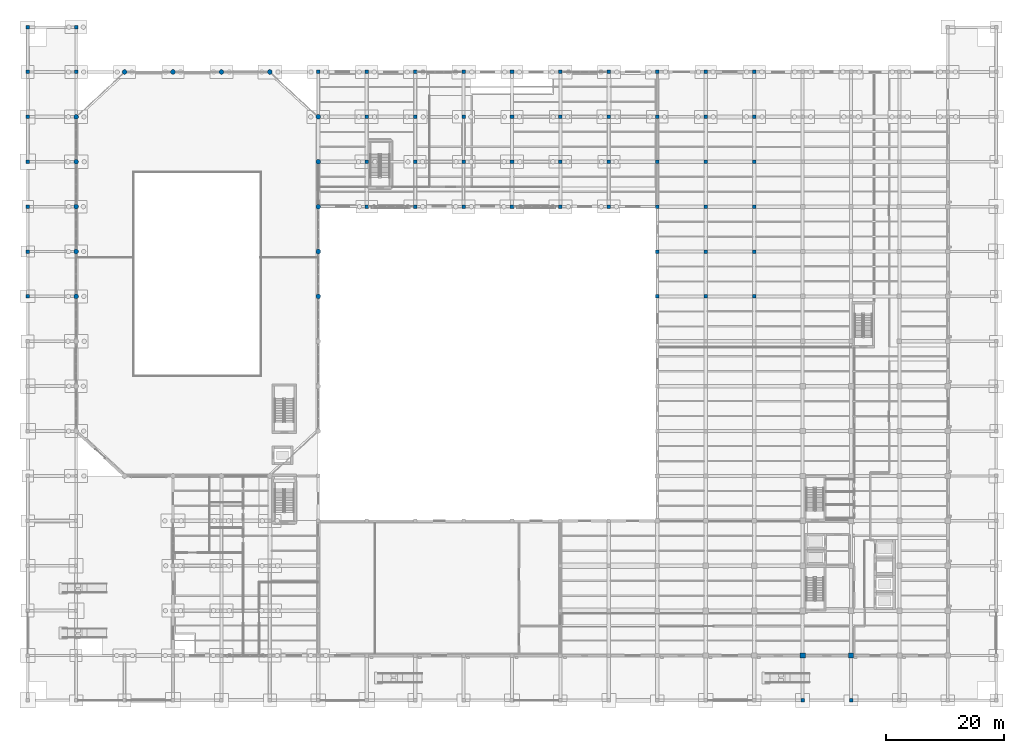
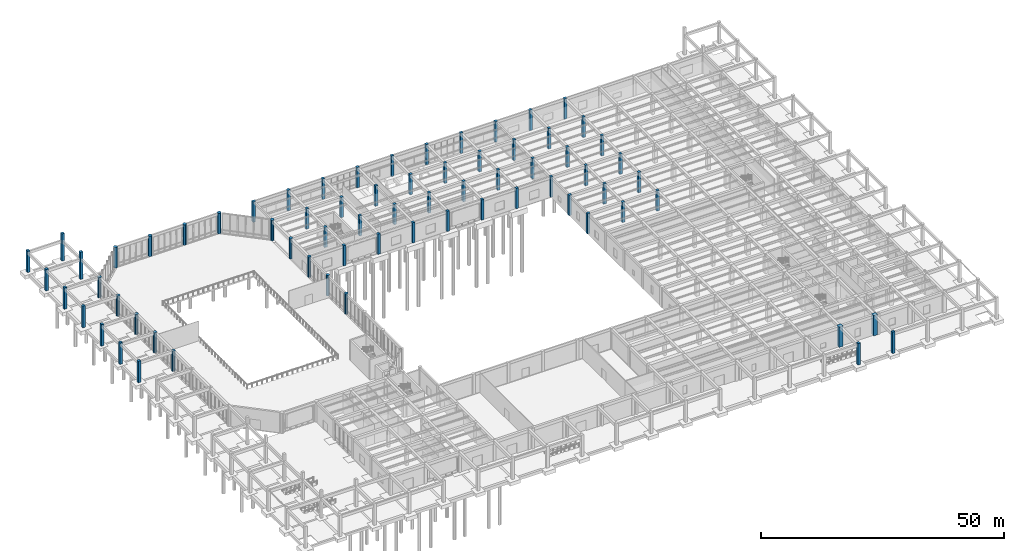
# One storey, part 9 of 64: 70 columns.
"""IFC4 building model written with IfcOpenShell, lengths in metres."""

from ifc_helpers import new_model, si_unit, direction, frame, origin, origin_2d, place, context, subcontext, project, spatial, rectangle, circle, extrude, material, material_profile, profile_set, type_object, element, save


model = new_model("IFC4")

# Units and contexts
model_context = context("Model", 3, precision=1e-05, world=origin(), true_north=direction((0.0, 1.0)))
body_context = subcontext(model_context, "Body", "Model", "MODEL_VIEW")
ifc_project = project(units=[si_unit("LENGTHUNIT", "METRE"), si_unit("AREAUNIT", "SQUARE_METRE"), si_unit("VOLUMEUNIT", "CUBIC_METRE"), si_unit("PLANEANGLEUNIT", "RADIAN"), si_unit("MASSUNIT", "GRAM", prefix="KILO")], contexts=[model_context])

# Site, building, storey
site_placement = place(None, origin())
site = spatial("IfcSite", under=ifc_project, at=site_placement, CompositionType="ELEMENT")
building_placement = place(site_placement, origin())
building = spatial("IfcBuilding", under=site, at=building_placement, Name="Qandaris Square Conservatory and Botanical Centre", CompositionType="ELEMENT")
storey_placement = place(building_placement, origin())
storey = spatial("IfcBuildingStorey", under=building, at=storey_placement, Name="L00", CompositionType="ELEMENT", Elevation=0.0)

# Columns
ifc_material_1 = material(Name="Concrete C50/60", Category="concrete")
ifc_material_profile_1 = material_profile(ifc_material_1, circle(Radius=0.39990234375, at=origin_2d()), Name="RC-COL D800")
ifc_profile_set_1 = profile_set([ifc_material_profile_1], Name="Concrete C50/60")
column_type_1 = type_object("IfcColumnType", Name="Conservatory Ring Pier D800", PredefinedType="COLUMN", material=ifc_profile_set_1)
for number, where, z_axis, x_axis, name in (
    (1, (16.199951171875, 77.39990234375, 0.0), (0.0, 0.0, 1.0), (1.0, 0.0, 0.0), "Column K2 (L00)"),
    (2, (16.199951171875, 85.0, 0.0), (0.0, 0.0, 1.0), (1.0, 0.0, 0.0), "Column L2 (L00)"),
    (3, (16.199951171875, 92.60009765625, 0.0), (0.0, 0.0, 1.0), (1.0, 0.0, 0.0), "Column M2 (L00)"),
    (4, (16.199951171875, 100.199951171875, 0.0), (0.0, 0.0, 1.0), (1.0, 0.0, 0.0), "Column N2 (L00)"),
):
    element("IfcColumn", number, at=place(storey_placement, frame(where, z_axis=z_axis, x_axis=x_axis)), inside=storey, type_object=column_type_1, Name=name, PredefinedType="COLUMN", context=body_context, shape_type="SweptSolid", body=[
        extrude(circle(Radius=0.39990234375, at=origin_2d()), origin(), (0.0, 0.0, 1.0), 5.10009765625),
    ])
for number, where, z_axis, x_axis, name in (
    (5, (16.199951171875, 107.800048828125, 0.0), (0.0, 0.0, 1.0), (1.0, 0.0, 0.0), "Column P2 (L00)"),
    (6, (24.39990234375, 115.39990234375, 0.0), (0.0, 0.0, 1.0), (1.0, 0.0, 0.0), "Column Q3 (L00)"),
    (7, (32.60009765625, 115.39990234375, 0.0), (0.0, 0.0, 1.0), (1.0, 0.0, 0.0), "Column Q4 (L00)"),
    (8, (40.800048828125, 115.39990234375, 0.0), (0.0, 0.0, 1.0), (1.0, 0.0, 0.0), "Column Q5 (L00)"),
    (9, (49.0, 115.39990234375, 0.0), (0.0, 0.0, 1.0), (1.0, 0.0, 0.0), "Column Q6 (L00)"),
):
    element("IfcColumn", number, at=place(storey_placement, frame(where, z_axis=z_axis, x_axis=x_axis)), inside=storey, type_object=column_type_1, Name=name, PredefinedType="COLUMN", context=body_context, shape_type="SweptSolid", body=[
        extrude(circle(Radius=0.39990234375, at=origin_2d()), origin(), (0.0, 0.0, 1.0), 5.14501953125),
    ])
for number, where, z_axis, x_axis, name in (
    (10, (57.199951171875, 77.39990234375, 0.0), (0.0, 0.0, 1.0), (1.0, 0.0, 0.0), "Column K7 (L00)"),
    (11, (57.199951171875, 85.0, 0.0), (0.0, 0.0, 1.0), (1.0, 0.0, 0.0), "Column L7 (L00)"),
    (12, (57.199951171875, 92.60009765625, 0.0), (0.0, 0.0, 1.0), (1.0, 0.0, 0.0), "Column M7 (L00)"),
    (13, (57.199951171875, 100.199951171875, 0.0), (0.0, 0.0, 1.0), (1.0, 0.0, 0.0), "Column N7 (L00)"),
):
    element("IfcColumn", number, at=place(storey_placement, frame(where, z_axis=z_axis, x_axis=x_axis)), inside=storey, type_object=column_type_1, Name=name, PredefinedType="COLUMN", context=body_context, shape_type="SweptSolid", body=[
        extrude(circle(Radius=0.39990234375, at=origin_2d()), origin(), (0.0, 0.0, 1.0), 5.10009765625),
    ])
column_1_placement = place(storey_placement, frame((57.199951171875, 107.800048828125, 0.0), z_axis=(0.0, 0.0, 1.0), x_axis=(1.0, 0.0, 0.0)))
element("IfcColumn", 14, at=column_1_placement, inside=storey, type_object=column_type_1, Name="Column P7 (L00)", PredefinedType="COLUMN", context=body_context, shape_type="SweptSolid", body=[
    extrude(circle(Radius=0.39990234375, at=origin_2d()), origin(), (0.0, 0.0, 1.0), 5.14501953125),
])
ifc_material_2 = material(Name="Concrete C40/50", Category="concrete")
ifc_material_profile_2 = material_profile(ifc_material_2, rectangle(XDim=0.60009765625, YDim=0.60009765625, at=origin_2d()), Name="RC-COL 600x600")
ifc_profile_set_2 = profile_set([ifc_material_profile_2], Name="Concrete C40/50")
column_type_2 = type_object("IfcColumnType", Name="RC Column 600x600", PredefinedType="COLUMN", material=ifc_profile_set_2)
for number, where, z_axis, x_axis, name in (
    (15, (8.0, 77.39990234375, 0.0), (0.0, 0.0, 1.0), (1.0, 0.0, 0.0), "Column K1 (L00)"),
    (16, (8.0, 85.0, 0.0), (0.0, 0.0, 1.0), (1.0, 0.0, 0.0), "Column L1 (L00)"),
    (17, (8.0, 92.60009765625, 0.0), (0.0, 0.0, 1.0), (1.0, 0.0, 0.0), "Column M1 (L00)"),
    (18, (8.0, 100.199951171875, 0.0), (0.0, 0.0, 1.0), (1.0, 0.0, 0.0), "Column N1 (L00)"),
    (19, (8.0, 107.800048828125, 0.0), (0.0, 0.0, 1.0), (1.0, 0.0, 0.0), "Column P1 (L00)"),
    (20, (8.0, 115.39990234375, 0.0), (0.0, 0.0, 1.0), (1.0, 0.0, 0.0), "Column Q1 (L00)"),
    (21, (8.0, 123.0, 0.0), (0.0, 0.0, 1.0), (1.0, 0.0, 0.0), "Column R1 (L00)"),
):
    element("IfcColumn", number, at=place(storey_placement, frame(where, z_axis=z_axis, x_axis=x_axis)), inside=storey, type_object=column_type_2, Name=name, PredefinedType="COLUMN", context=body_context, shape_type="SweptSolid", body=[
        extrude(rectangle(XDim=0.60009765625, YDim=0.60009765625, at=origin_2d()), origin(), (0.0, 0.0, 1.0), 5.39990234375),
    ])
for number, where, z_axis, x_axis, name in (
    (22, (16.199951171875, 115.39990234375, 0.0), (0.0, 0.0, 1.0), (1.0, 0.0, 0.0), "Column Q2 (L00)"),
    (23, (16.199951171875, 123.0, 0.0), (0.0, 0.0, 1.0), (1.0, 0.0, 0.0), "Column R2 (L00)"),
):
    element("IfcColumn", number, at=place(storey_placement, frame(where, z_axis=z_axis, x_axis=x_axis)), inside=storey, type_object=column_type_2, Name=name, PredefinedType="COLUMN", context=body_context, shape_type="SweptSolid", body=[
        extrude(rectangle(XDim=0.60009765625, YDim=0.60009765625, at=origin_2d()), origin(), (0.0, 0.0, 1.0), 6.840087890625),
    ])
column_2_placement = place(storey_placement, frame((57.199951171875, 115.39990234375, 0.0), z_axis=(0.0, 0.0, 1.0), x_axis=(1.0, 0.0, 0.0)))
element("IfcColumn", 24, at=column_2_placement, inside=storey, type_object=column_type_2, Name="Column Q7 (L00)", PredefinedType="COLUMN", context=body_context, shape_type="SweptSolid", body=[
    extrude(rectangle(XDim=0.60009765625, YDim=0.60009765625, at=origin_2d()), origin(), (0.0, 0.0, 1.0), 5.14501953125),
])
for number, where, z_axis, x_axis, name in (
    (25, (65.39990234375, 92.60009765625, 0.0), (0.0, 0.0, 1.0), (1.0, 0.0, 0.0), "Column M8 (L00)"),
    (26, (65.39990234375, 100.199951171875, 0.0), (0.0, 0.0, 1.0), (1.0, 0.0, 0.0), "Column N8 (L00)"),
    (27, (65.39990234375, 107.800048828125, 0.0), (0.0, 0.0, 1.0), (1.0, 0.0, 0.0), "Column P8 (L00)"),
):
    element("IfcColumn", number, at=place(storey_placement, frame(where, z_axis=z_axis, x_axis=x_axis)), inside=storey, type_object=column_type_2, Name=name, PredefinedType="COLUMN", context=body_context, shape_type="SweptSolid", body=[
        extrude(rectangle(XDim=0.60009765625, YDim=0.60009765625, at=origin_2d()), origin(), (0.0, 0.0, 1.0), 5.10009765625),
    ])
column_3_placement = place(storey_placement, frame((65.39990234375, 115.39990234375, 0.0), z_axis=(0.0, 0.0, 1.0), x_axis=(1.0, 0.0, 0.0)))
element("IfcColumn", 28, at=column_3_placement, inside=storey, type_object=column_type_2, Name="Column Q8 (L00)", PredefinedType="COLUMN", context=body_context, shape_type="SweptSolid", body=[
    extrude(rectangle(XDim=0.60009765625, YDim=0.60009765625, at=origin_2d()), origin(), (0.0, 0.0, 1.0), 5.14501953125),
])
for number, where, z_axis, x_axis, name in (
    (29, (73.60009765625, 92.60009765625, 0.0), (0.0, 0.0, 1.0), (1.0, 0.0, 0.0), "Column M9 (L00)"),
    (30, (73.60009765625, 100.199951171875, 0.0), (0.0, 0.0, 1.0), (1.0, 0.0, 0.0), "Column N9 (L00)"),
    (31, (73.60009765625, 107.800048828125, 0.0), (0.0, 0.0, 1.0), (1.0, 0.0, 0.0), "Column P9 (L00)"),
):
    element("IfcColumn", number, at=place(storey_placement, frame(where, z_axis=z_axis, x_axis=x_axis)), inside=storey, type_object=column_type_2, Name=name, PredefinedType="COLUMN", context=body_context, shape_type="SweptSolid", body=[
        extrude(rectangle(XDim=0.60009765625, YDim=0.60009765625, at=origin_2d()), origin(), (0.0, 0.0, 1.0), 5.10009765625),
    ])
column_4_placement = place(storey_placement, frame((73.60009765625, 115.39990234375, 0.0), z_axis=(0.0, 0.0, 1.0), x_axis=(1.0, 0.0, 0.0)))
element("IfcColumn", 32, at=column_4_placement, inside=storey, type_object=column_type_2, Name="Column Q9 (L00)", PredefinedType="COLUMN", context=body_context, shape_type="SweptSolid", body=[
    extrude(rectangle(XDim=0.60009765625, YDim=0.60009765625, at=origin_2d()), origin(), (0.0, 0.0, 1.0), 5.14501953125),
])
for number, where, z_axis, x_axis, name in (
    (33, (81.800048828125, 92.60009765625, 0.0), (0.0, 0.0, 1.0), (1.0, 0.0, 0.0), "Column M10 (L00)"),
    (34, (81.800048828125, 100.199951171875, 0.0), (0.0, 0.0, 1.0), (1.0, 0.0, 0.0), "Column N10 (L00)"),
    (35, (81.800048828125, 107.800048828125, 0.0), (0.0, 0.0, 1.0), (1.0, 0.0, 0.0), "Column P10 (L00)"),
):
    element("IfcColumn", number, at=place(storey_placement, frame(where, z_axis=z_axis, x_axis=x_axis)), inside=storey, type_object=column_type_2, Name=name, PredefinedType="COLUMN", context=body_context, shape_type="SweptSolid", body=[
        extrude(rectangle(XDim=0.60009765625, YDim=0.60009765625, at=origin_2d()), origin(), (0.0, 0.0, 1.0), 5.10009765625),
    ])
column_5_placement = place(storey_placement, frame((81.800048828125, 115.39990234375, 0.0), z_axis=(0.0, 0.0, 1.0), x_axis=(1.0, 0.0, 0.0)))
element("IfcColumn", 36, at=column_5_placement, inside=storey, type_object=column_type_2, Name="Column Q10 (L00)", PredefinedType="COLUMN", context=body_context, shape_type="SweptSolid", body=[
    extrude(rectangle(XDim=0.60009765625, YDim=0.60009765625, at=origin_2d()), origin(), (0.0, 0.0, 1.0), 5.14501953125),
])
for number, where, z_axis, x_axis, name in (
    (37, (90.0, 92.60009765625, 0.0), (0.0, 0.0, 1.0), (1.0, 0.0, 0.0), "Column M11 (L00)"),
    (38, (90.0, 100.199951171875, 0.0), (0.0, 0.0, 1.0), (1.0, 0.0, 0.0), "Column N11 (L00)"),
    (39, (90.0, 107.800048828125, 0.0), (0.0, 0.0, 1.0), (1.0, 0.0, 0.0), "Column P11 (L00)"),
):
    element("IfcColumn", number, at=place(storey_placement, frame(where, z_axis=z_axis, x_axis=x_axis)), inside=storey, type_object=column_type_2, Name=name, PredefinedType="COLUMN", context=body_context, shape_type="SweptSolid", body=[
        extrude(rectangle(XDim=0.60009765625, YDim=0.60009765625, at=origin_2d()), origin(), (0.0, 0.0, 1.0), 5.10009765625),
    ])
column_6_placement = place(storey_placement, frame((90.0, 115.39990234375, 0.0), z_axis=(0.0, 0.0, 1.0), x_axis=(1.0, 0.0, 0.0)))
element("IfcColumn", 40, at=column_6_placement, inside=storey, type_object=column_type_2, Name="Column Q11 (L00)", PredefinedType="COLUMN", context=body_context, shape_type="SweptSolid", body=[
    extrude(rectangle(XDim=0.60009765625, YDim=0.60009765625, at=origin_2d()), origin(), (0.0, 0.0, 1.0), 5.14501953125),
])
for number, where, z_axis, x_axis, name in (
    (41, (98.199951171875, 92.60009765625, 0.0), (0.0, 0.0, 1.0), (1.0, 0.0, 0.0), "Column M12 (L00)"),
    (42, (98.199951171875, 100.199951171875, 0.0), (0.0, 0.0, 1.0), (1.0, 0.0, 0.0), "Column N12 (L00)"),
    (43, (98.199951171875, 107.800048828125, 0.0), (0.0, 0.0, 1.0), (1.0, 0.0, 0.0), "Column P12 (L00)"),
):
    element("IfcColumn", number, at=place(storey_placement, frame(where, z_axis=z_axis, x_axis=x_axis)), inside=storey, type_object=column_type_2, Name=name, PredefinedType="COLUMN", context=body_context, shape_type="SweptSolid", body=[
        extrude(rectangle(XDim=0.60009765625, YDim=0.60009765625, at=origin_2d()), origin(), (0.0, 0.0, 1.0), 5.10009765625),
    ])
column_7_placement = place(storey_placement, frame((98.199951171875, 115.39990234375, 0.0), z_axis=(0.0, 0.0, 1.0), x_axis=(1.0, 0.0, 0.0)))
element("IfcColumn", 44, at=column_7_placement, inside=storey, type_object=column_type_2, Name="Column Q12 (L00)", PredefinedType="COLUMN", context=body_context, shape_type="SweptSolid", body=[
    extrude(rectangle(XDim=0.60009765625, YDim=0.60009765625, at=origin_2d()), origin(), (0.0, 0.0, 1.0), 5.14501953125),
])
for number, where, z_axis, x_axis, name in (
    (45, (106.39990234375, 92.60009765625, 0.0), (0.0, 0.0, 1.0), (1.0, 0.0, 0.0), "Column M13 (L00)"),
    (46, (106.39990234375, 100.199951171875, 0.0), (0.0, 0.0, 1.0), (1.0, 0.0, 0.0), "Column N13 (L00)"),
    (47, (106.39990234375, 107.800048828125, 0.0), (0.0, 0.0, 1.0), (1.0, 0.0, 0.0), "Column P13 (L00)"),
):
    element("IfcColumn", number, at=place(storey_placement, frame(where, z_axis=z_axis, x_axis=x_axis)), inside=storey, type_object=column_type_2, Name=name, PredefinedType="COLUMN", context=body_context, shape_type="SweptSolid", body=[
        extrude(rectangle(XDim=0.60009765625, YDim=0.60009765625, at=origin_2d()), origin(), (0.0, 0.0, 1.0), 5.10009765625),
    ])
column_8_placement = place(storey_placement, frame((106.39990234375, 115.39990234375, 0.0), z_axis=(0.0, 0.0, 1.0), x_axis=(1.0, 0.0, 0.0)))
element("IfcColumn", 48, at=column_8_placement, inside=storey, type_object=column_type_2, Name="Column Q13 (L00)", PredefinedType="COLUMN", context=body_context, shape_type="SweptSolid", body=[
    extrude(rectangle(XDim=0.60009765625, YDim=0.60009765625, at=origin_2d()), origin(), (0.0, 0.0, 1.0), 5.14501953125),
])
for number, where, z_axis, x_axis, name in (
    (49, (114.60009765625, 77.39990234375, 0.0), (0.0, 0.0, 1.0), (1.0, 0.0, 0.0), "Column K14 (L00)"),
    (50, (114.60009765625, 85.0, 0.0), (0.0, 0.0, 1.0), (1.0, 0.0, 0.0), "Column L14 (L00)"),
    (51, (114.60009765625, 92.60009765625, 0.0), (0.0, 0.0, 1.0), (1.0, 0.0, 0.0), "Column M14 (L00)"),
    (52, (114.60009765625, 100.199951171875, 0.0), (0.0, 0.0, 1.0), (1.0, 0.0, 0.0), "Column N14 (L00)"),
):
    element("IfcColumn", number, at=place(storey_placement, frame(where, z_axis=z_axis, x_axis=x_axis)), inside=storey, type_object=column_type_2, Name=name, PredefinedType="COLUMN", context=body_context, shape_type="SweptSolid", body=[
        extrude(rectangle(XDim=0.60009765625, YDim=0.60009765625, at=origin_2d()), origin(), (0.0, 0.0, 1.0), 5.10009765625),
    ])
for number, where, z_axis, x_axis, name in (
    (53, (114.60009765625, 107.800048828125, 0.0), (0.0, 0.0, 1.0), (1.0, 0.0, 0.0), "Column P14 (L00)"),
    (54, (114.60009765625, 115.39990234375, 0.0), (0.0, 0.0, 1.0), (1.0, 0.0, 0.0), "Column Q14 (L00)"),
):
    element("IfcColumn", number, at=place(storey_placement, frame(where, z_axis=z_axis, x_axis=x_axis)), inside=storey, type_object=column_type_2, Name=name, PredefinedType="COLUMN", context=body_context, shape_type="SweptSolid", body=[
        extrude(rectangle(XDim=0.60009765625, YDim=0.60009765625, at=origin_2d()), origin(), (0.0, 0.0, 1.0), 5.14501953125),
    ])
for number, where, z_axis, x_axis, name in (
    (55, (122.800048828125, 77.39990234375, 0.0), (0.0, 0.0, 1.0), (1.0, 0.0, 0.0), "Column K15 (L00)"),
    (56, (122.800048828125, 85.0, 0.0), (0.0, 0.0, 1.0), (1.0, 0.0, 0.0), "Column L15 (L00)"),
    (57, (122.800048828125, 92.60009765625, 0.0), (0.0, 0.0, 1.0), (1.0, 0.0, 0.0), "Column M15 (L00)"),
    (58, (122.800048828125, 100.199951171875, 0.0), (0.0, 0.0, 1.0), (1.0, 0.0, 0.0), "Column N15 (L00)"),
):
    element("IfcColumn", number, at=place(storey_placement, frame(where, z_axis=z_axis, x_axis=x_axis)), inside=storey, type_object=column_type_2, Name=name, PredefinedType="COLUMN", context=body_context, shape_type="SweptSolid", body=[
        extrude(rectangle(XDim=0.60009765625, YDim=0.60009765625, at=origin_2d()), origin(), (0.0, 0.0, 1.0), 5.10009765625),
    ])
for number, where, z_axis, x_axis, name in (
    (59, (122.800048828125, 107.800048828125, 0.0), (0.0, 0.0, 1.0), (1.0, 0.0, 0.0), "Column P15 (L00)"),
    (60, (122.800048828125, 115.39990234375, 0.0), (0.0, 0.0, 1.0), (1.0, 0.0, 0.0), "Column Q15 (L00)"),
):
    element("IfcColumn", number, at=place(storey_placement, frame(where, z_axis=z_axis, x_axis=x_axis)), inside=storey, type_object=column_type_2, Name=name, PredefinedType="COLUMN", context=body_context, shape_type="SweptSolid", body=[
        extrude(rectangle(XDim=0.60009765625, YDim=0.60009765625, at=origin_2d()), origin(), (0.0, 0.0, 1.0), 5.14501953125),
    ])
for number, where, z_axis, x_axis, name in (
    (61, (131.0, 77.39990234375, 0.0), (0.0, 0.0, 1.0), (1.0, 0.0, 0.0), "Column K16 (L00)"),
    (62, (131.0, 85.0, 0.0), (0.0, 0.0, 1.0), (1.0, 0.0, 0.0), "Column L16 (L00)"),
    (63, (131.0, 92.60009765625, 0.0), (0.0, 0.0, 1.0), (1.0, 0.0, 0.0), "Column M16 (L00)"),
    (64, (131.0, 100.199951171875, 0.0), (0.0, 0.0, 1.0), (1.0, 0.0, 0.0), "Column N16 (L00)"),
):
    element("IfcColumn", number, at=place(storey_placement, frame(where, z_axis=z_axis, x_axis=x_axis)), inside=storey, type_object=column_type_2, Name=name, PredefinedType="COLUMN", context=body_context, shape_type="SweptSolid", body=[
        extrude(rectangle(XDim=0.60009765625, YDim=0.60009765625, at=origin_2d()), origin(), (0.0, 0.0, 1.0), 5.10009765625),
    ])
for number, where, z_axis, x_axis, name in (
    (65, (131.0, 107.800048828125, 0.0), (0.0, 0.0, 1.0), (1.0, 0.0, 0.0), "Column P16 (L00)"),
    (66, (131.0, 115.39990234375, 0.0), (0.0, 0.0, 1.0), (1.0, 0.0, 0.0), "Column Q16 (L00)"),
):
    element("IfcColumn", number, at=place(storey_placement, frame(where, z_axis=z_axis, x_axis=x_axis)), inside=storey, type_object=column_type_2, Name=name, PredefinedType="COLUMN", context=body_context, shape_type="SweptSolid", body=[
        extrude(rectangle(XDim=0.60009765625, YDim=0.60009765625, at=origin_2d()), origin(), (0.0, 0.0, 1.0), 5.14501953125),
    ])
for number, where, z_axis, x_axis, name in (
    (67, (139.199951171875, 9.0, 0.0), (0.0, 0.0, 1.0), (1.0, 0.0, 0.0), "Column A17 (L00)"),
    (68, (147.39990234375, 9.0, 0.0), (0.0, 0.0, 1.0), (1.0, 0.0, 0.0), "Column A18 (L00)"),
):
    element("IfcColumn", number, at=place(storey_placement, frame(where, z_axis=z_axis, x_axis=x_axis)), inside=storey, type_object=column_type_2, Name=name, PredefinedType="COLUMN", context=body_context, shape_type="SweptSolid", body=[
        extrude(rectangle(XDim=0.60009765625, YDim=0.60009765625, at=origin_2d()), origin(), (0.0, 0.0, 1.0), 5.39990234375),
    ])
ifc_material_profile_3 = material_profile(ifc_material_1, rectangle(XDim=0.89990234375, YDim=0.89990234375, at=origin_2d()), Name="RC-COL 900x900")
ifc_profile_set_3 = profile_set([ifc_material_profile_3], Name="Concrete C50/60")
column_type_3 = type_object("IfcColumnType", Name="RC Column 900x900", PredefinedType="COLUMN", material=ifc_profile_set_3)
for number, where, z_axis, x_axis, name in (
    (69, (139.199951171875, 16.60009765625, 0.0), (0.0, 0.0, 1.0), (1.0, 0.0, 0.0), "Column B17 (L00)"),
    (70, (147.39990234375, 16.60009765625, 0.0), (0.0, 0.0, 1.0), (1.0, 0.0, 0.0), "Column B18 (L00)"),
):
    element("IfcColumn", number, at=place(storey_placement, frame(where, z_axis=z_axis, x_axis=x_axis)), inside=storey, type_object=column_type_3, Name=name, PredefinedType="COLUMN", context=body_context, shape_type="SweptSolid", body=[
        extrude(rectangle(XDim=0.89990234375, YDim=0.89990234375, at=origin_2d()), origin(), (0.0, 0.0, 1.0), 5.10009765625),
    ])

save(model, "model.ifc")
